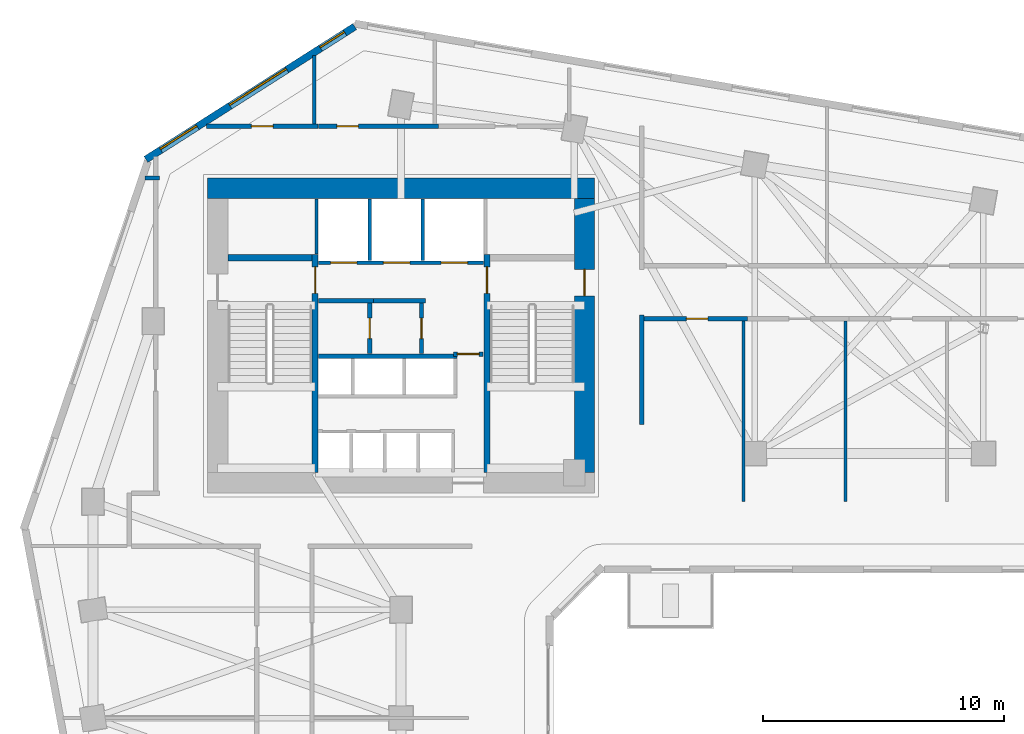
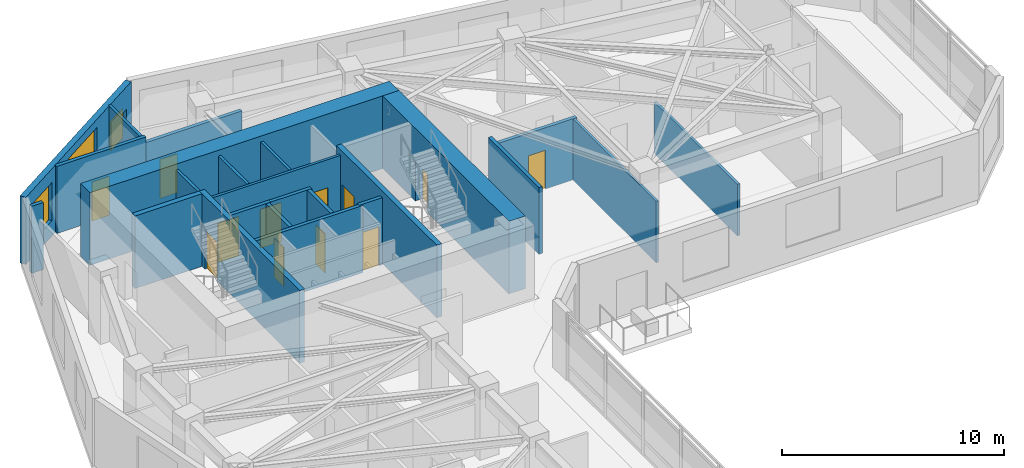
# One storey, part 6 of 10: 24 walls, 12 doors, 3 windows, 15 openings.
"""IFC4 building model written with IfcOpenShell, lengths in metres."""

from ifc_helpers import new_model, si_unit, direction, frame, frame_2d, origin, place, context, subcontext, project, spatial, rectangle, extrude, source, transform, mapped, material, layer, layer_set, type_object, element, fill, save


model = new_model("IFC4")

# Units and contexts
model_context = context("Model", 3, precision=1e-05, world=origin(), true_north=direction((0.0, 1.0)))
body_context = subcontext(model_context, "Body", "Model", "MODEL_VIEW")
ifc_project = project(units=[si_unit("LENGTHUNIT", "METRE"), si_unit("AREAUNIT", "SQUARE_METRE"), si_unit("VOLUMEUNIT", "CUBIC_METRE"), si_unit("PLANEANGLEUNIT", "RADIAN"), si_unit("MASSUNIT", "GRAM", prefix="KILO")], contexts=[model_context])

# Site, building, storey
site_placement = place(None, origin())
site = spatial("IfcSite", under=ifc_project, at=site_placement, CompositionType="ELEMENT")
building_placement = place(site_placement, origin())
building = spatial("IfcBuilding", under=site, at=building_placement, Name="Calvemar Wedge Station Tower", CompositionType="ELEMENT")
storey_placement = place(building_placement, frame((0.0, 0.0, 95.0)))
storey = spatial("IfcBuildingStorey", under=building, at=storey_placement, Name="L23", CompositionType="ELEMENT", Elevation=95.0)

# Wall, opening, door
ifc_material_1 = material(Name="Concrete C50", Category="concrete")
ifc_layer_1 = layer(ifc_material_1, 0.260009765625)
ifc_layer_set_1 = layer_set([ifc_layer_1], Name="Concrete C50")
wall_type_1 = type_object("IfcWallType", Name="SW-CORE-260", PredefinedType="SHEAR", material=ifc_layer_set_1)
wall_1_placement = place(storey_placement, frame((20.22998046875, 34.199951171875, 0.0), z_axis=(0.0, 0.0, 1.0), x_axis=(0.0, 1.0, 0.0)))
wall_1 = element("IfcWall", 1, at=wall_1_placement, inside=storey, type_object=wall_type_1, Name="Storey L23 Core Shear Wall SPINE-W", PredefinedType="SHEAR", context=body_context, shape_type="SweptSolid", body=[
    extrude(rectangle(XDim=9.06005859375, YDim=0.260009765625, at=frame_2d((4.530029296875, 0.0))), origin(), (0.0, 0.0, 1.0), 4.0),
])
shared_shape_1 = source(origin(), body_context, "Body", "SweptSolid", [
    extrude(rectangle(XDim=1.10009765625, YDim=2.14990234375, at=frame_2d((0.550048828125, 1.074951171875))), frame((0.0, 0.14013671875, 0.0), z_axis=(0.0, -1.0, 0.0), x_axis=(1.0, 0.0, 0.0)), (0.0, 0.0, 1.0), 0.280029296875),
])
opening_1_placement = place(wall_1_placement, frame((7.449951171875, 0.0, 0.0)))
opening_1 = element("IfcOpeningElement", 2, at=opening_1_placement, cuts=wall_1, Name="Opening FD-90", PredefinedType="OPENING", context=body_context, shape_type="MappedRepresentation", body=[
    mapped(shared_shape_1, transform((0.0, 0.0, 0.0), scale=1.0)),
])
ifc_material_2 = material(Name="Galvanized fire-rated steel door leaf P-90", Category="steel")
door_type_1 = type_object("IfcDoorType", Name="DR-FD90-1100", OperationType="NOTDEFINED", PredefinedType="DOOR", material=ifc_material_2)
shared_shape_2 = source(origin(), body_context, "Body", "SweptSolid", [
    extrude(rectangle(XDim=1.10009765625, YDim=2.14990234375, at=frame_2d((0.550048828125, 1.074951171875))), frame((0.0, 0.02490234375, 0.0), z_axis=(0.0, -1.0, 0.0), x_axis=(1.0, 0.0, 0.0)), (0.0, 0.0, 1.0), 0.050048828125),
])
door_1_placement = place(opening_1_placement, origin())
door_1 = element("IfcDoor", 3, at=door_1_placement, inside=storey, type_object=door_type_1, Name="L23 FF Lobby to Stair ST-C1 Door", OperationType="SINGLE_SWING_LEFT", OverallHeight=2.14990234375, OverallWidth=1.10009765625, PredefinedType="DOOR", context=body_context, shape_type="MappedRepresentation", body=[
    mapped(shared_shape_2, transform((0.0, 0.0, 0.0), scale=1.0)),
])
fill(opening_1, door_1)

wall_2_placement = place(storey_placement, frame((27.3701171875, 34.199951171875, 0.0), z_axis=(0.0, 0.0, 1.0), x_axis=(0.0, 1.0, 0.0)))
wall_2 = element("IfcWall", 4, at=wall_2_placement, inside=storey, type_object=wall_type_1, Name="Storey L23 Core Shear Wall SPINE-E", PredefinedType="SHEAR", context=body_context, shape_type="SweptSolid", body=[
    extrude(rectangle(XDim=9.06005859375, YDim=0.260009765625, at=frame_2d((4.530029296875, 0.0))), origin(), (0.0, 0.0, 1.0), 4.0),
])
opening_2_placement = place(wall_2_placement, frame((7.449951171875, 0.0, 0.0)))
opening_2 = element("IfcOpeningElement", 5, at=opening_2_placement, cuts=wall_2, Name="Opening FD-90", PredefinedType="OPENING", context=body_context, shape_type="MappedRepresentation", body=[
    mapped(shared_shape_1, transform((0.0, 0.0, 0.0), scale=1.0)),
])
door_2_placement = place(opening_2_placement, origin())
door_2 = element("IfcDoor", 6, at=door_2_placement, inside=storey, type_object=door_type_1, Name="L23 FF Lobby to Stair ST-C2 Door", OperationType="SINGLE_SWING_RIGHT", OverallHeight=2.14990234375, OverallWidth=1.10009765625, PredefinedType="DOOR", context=body_context, shape_type="MappedRepresentation", body=[
    mapped(shared_shape_2, transform((0.0, 0.0, 0.0), scale=1.0)),
])
fill(opening_2, door_2)

# Walls
wall_3_placement = place(storey_placement, frame((16.60009765625, 43.1298828125, 0.0), z_axis=(0.0, 0.0, 1.0), x_axis=(1.0, 0.0, 0.0)))
element("IfcWall", 7, at=wall_3_placement, inside=storey, type_object=wall_type_1, Name="Storey L23 Core Shear Wall STC1-N", PredefinedType="SHEAR", context=body_context, shape_type="SweptSolid", body=[
    extrude(rectangle(XDim=3.5, YDim=0.260009765625, at=frame_2d((1.75, 0.0))), origin(), (0.0, 0.0, 1.0), 4.0),
])
ifc_material_3 = material(Name="Concrete C80", Category="concrete")
ifc_layer_2 = layer(ifc_material_3, 0.85009765625)
ifc_layer_set_2 = layer_set([ifc_layer_2], Name="Concrete C80")
wall_type_2 = type_object("IfcWallType", Name="SW-CORE-850", PredefinedType="SHEAR", material=ifc_layer_set_2)
wall_4_placement = place(storey_placement, frame((15.75, 46.02490234375, 0.0), z_axis=(0.0, 0.0, 1.0), x_axis=(1.0, 0.0, 0.0)))
element("IfcWall", 8, at=wall_4_placement, inside=storey, type_object=wall_type_2, Name="Storey L23 Core Shear Wall N", PredefinedType="SHEAR", context=body_context, shape_type="SweptSolid", body=[
    extrude(rectangle(XDim=16.10009765625, YDim=0.85009765625, at=frame_2d((8.050048828125, 0.0))), origin(), (0.0, 0.0, 1.0), 4.0),
])

# Wall, opening, door
wall_5_placement = place(storey_placement, frame((31.425048828125, 34.199951171875, 0.0), z_axis=(0.0, 0.0, 1.0), x_axis=(0.0, 1.0, 0.0)))
wall_5 = element("IfcWall", 9, at=wall_5_placement, inside=storey, type_object=wall_type_2, Name="Storey L23 Core Shear Wall E", PredefinedType="SHEAR", context=body_context, shape_type="SweptSolid", body=[
    extrude(rectangle(XDim=11.400146484375, YDim=0.85009765625, at=frame_2d((5.7001953125, 0.0))), origin(), (0.0, 0.0, 1.0), 4.0),
])
shared_shape_3 = source(origin(), body_context, "Body", "SweptSolid", [
    extrude(rectangle(XDim=1.10009765625, YDim=2.14990234375, at=frame_2d((0.550048828125, 1.074951171875))), frame((0.0, 0.43505859375, 0.0), z_axis=(0.0, -1.0, 0.0), x_axis=(1.0, 0.0, 0.0)), (0.0, 0.0, 1.0), 0.8701171875),
])
opening_3_placement = place(wall_5_placement, frame((7.35009765625, 0.0, 0.0)))
opening_3 = element("IfcOpeningElement", 10, at=opening_3_placement, cuts=wall_5, Name="Opening FD-90", PredefinedType="OPENING", context=body_context, shape_type="MappedRepresentation", body=[
    mapped(shared_shape_3, transform((0.0, 0.0, 0.0), scale=1.0)),
])
door_3_placement = place(opening_3_placement, origin())
door_3 = element("IfcDoor", 11, at=door_3_placement, inside=storey, type_object=door_type_1, Name="L23 East Corridor to Exit Stair ST-C2 Door", OperationType="SINGLE_SWING_RIGHT", OverallHeight=2.14990234375, OverallWidth=1.10009765625, PredefinedType="DOOR", context=body_context, shape_type="MappedRepresentation", body=[
    mapped(shared_shape_2, transform((0.0, 0.0, 0.0), scale=1.0)),
])
fill(opening_3, door_3)

# Walls
ifc_material_4 = material(Name="Double-stud fire-rated corridor partition")
ifc_layer_3 = layer(ifc_material_4, 0.179931640625)
ifc_layer_set_3 = layer_set([ifc_layer_3], Name="Double-stud fire-rated corridor partition")
wall_type_3 = type_object("IfcWallType", Name="W-CORR-180", PredefinedType="PARTITIONING", material=ifc_layer_set_3)
wall_6_placement = place(storey_placement, frame((22.659912109375, 41.35009765625, 0.0), z_axis=(0.0, 0.0, 1.0), x_axis=(-1.0, 0.0, 0.0)))
element("IfcWall", 12, at=wall_6_placement, inside=storey, type_object=wall_type_3, Name="Storey L23 Interior Partition WL-L23-001", PredefinedType="PARTITIONING", context=body_context, shape_type="SweptSolid", body=[
    extrude(rectangle(XDim=2.280029296875, YDim=0.179931640625, at=frame_2d((1.14013671875, 0.0))), origin(), (0.0, 0.0, 1.0), 3.699951171875),
])
wall_7_placement = place(storey_placement, frame((24.81005859375, 41.35009765625, 0.0), z_axis=(0.0, 0.0, 1.0), x_axis=(-1.0, 0.0, 0.0)))
element("IfcWall", 13, at=wall_7_placement, inside=storey, type_object=wall_type_3, Name="Storey L23 Interior Partition WL-L23-002", PredefinedType="PARTITIONING", context=body_context, shape_type="SweptSolid", body=[
    extrude(rectangle(XDim=2.14794921875, YDim=0.179931640625, at=frame_2d((1.073974609375, 0.0))), origin(), (0.0, 0.0, 1.0), 3.699951171875),
])

# Wall, opening, door
wall_8_placement = place(storey_placement, frame((22.5, 41.256103515625, 0.0), z_axis=(0.0, 0.0, 1.0), x_axis=(0.0, -1.0, 0.0)))
wall_8 = element("IfcWall", 14, at=wall_8_placement, inside=storey, type_object=wall_type_3, Name="Storey L23 Interior Partition WL-L23-003", PredefinedType="PARTITIONING", context=body_context, shape_type="SweptSolid", body=[
    extrude(rectangle(XDim=2.106201171875, YDim=0.179931640625, at=frame_2d((1.05322265625, 0.0))), origin(), (0.0, 0.0, 1.0), 3.699951171875),
])
shared_shape_4 = source(origin(), body_context, "Body", "SweptSolid", [
    extrude(rectangle(XDim=0.85009765625, YDim=2.14990234375, at=frame_2d((0.425048828125, 1.074951171875))), frame((0.0, 0.10009765625, 0.0), z_axis=(0.0, -1.0, 0.0), x_axis=(1.0, 0.0, 0.0)), (0.0, 0.0, 1.0), 0.199951171875),
])
opening_4_placement = place(wall_8_placement, frame((0.6279296875, 0.0, 0.0)))
opening_4 = element("IfcOpeningElement", 15, at=opening_4_placement, cuts=wall_8, Name="Opening FD-60S", PredefinedType="OPENING", context=body_context, shape_type="MappedRepresentation", body=[
    mapped(shared_shape_4, transform((0.0, 0.0, 0.0), scale=1.0)),
])
ifc_material_5 = material(Name="Fire-rated steel and hardwood service door EI 60", Category="steel")
door_type_2 = type_object("IfcDoorType", Name="DR-CORE-FD60-850", OperationType="NOTDEFINED", PredefinedType="DOOR", material=ifc_material_5)
shared_shape_5 = source(origin(), body_context, "Body", "SweptSolid", [
    extrude(rectangle(XDim=0.85009765625, YDim=2.14990234375, at=frame_2d((0.425048828125, 1.074951171875))), frame((0.0, 0.02490234375, 0.0), z_axis=(0.0, -1.0, 0.0), x_axis=(1.0, 0.0, 0.0)), (0.0, 0.0, 1.0), 0.050048828125),
])
door_4_placement = place(opening_4_placement, origin())
door_4 = element("IfcDoor", 16, at=door_4_placement, inside=storey, type_object=door_type_2, Name="L23 IT and Telecoms Room Door", OperationType="SINGLE_SWING_LEFT", OverallHeight=2.14990234375, OverallWidth=0.85009765625, PredefinedType="DOOR", context=body_context, shape_type="MappedRepresentation", body=[
    mapped(shared_shape_5, transform((0.0, 0.0, 0.0), scale=1.0)),
])
fill(opening_4, door_4)

wall_9_placement = place(storey_placement, frame((24.64990234375, 41.256103515625, 0.0), z_axis=(0.0, 0.0, 1.0), x_axis=(0.0, -1.0, 0.0)))
wall_9 = element("IfcWall", 17, at=wall_9_placement, inside=storey, type_object=wall_type_3, Name="Storey L23 Interior Partition WL-L23-004", PredefinedType="PARTITIONING", context=body_context, shape_type="SweptSolid", body=[
    extrude(rectangle(XDim=2.106201171875, YDim=0.179931640625, at=frame_2d((1.05322265625, 0.0))), origin(), (0.0, 0.0, 1.0), 3.699951171875),
])
opening_5_placement = place(wall_9_placement, frame((0.6279296875, 0.0, 0.0)))
opening_5 = element("IfcOpeningElement", 18, at=opening_5_placement, cuts=wall_9, Name="Opening FD-60S", PredefinedType="OPENING", context=body_context, shape_type="MappedRepresentation", body=[
    mapped(shared_shape_4, transform((0.0, 0.0, 0.0), scale=1.0)),
])
door_5_placement = place(opening_5_placement, origin())
door_5 = element("IfcDoor", 19, at=door_5_placement, inside=storey, type_object=door_type_2, Name="L23 Core Equipment Store Door", OperationType="SINGLE_SWING_RIGHT", OverallHeight=2.14990234375, OverallWidth=0.85009765625, PredefinedType="DOOR", context=body_context, shape_type="MappedRepresentation", body=[
    mapped(shared_shape_5, transform((0.0, 0.0, 0.0), scale=1.0)),
])
fill(opening_5, door_5)

wall_10_placement = place(storey_placement, frame((27.199951171875, 39.1298828125, 0.0), z_axis=(0.0, 0.0, 1.0), x_axis=(-1.0, 0.0, 0.0)))
wall_10 = element("IfcWall", 20, at=wall_10_placement, inside=storey, type_object=wall_type_3, Name="Storey L23 Interior Partition WL-L23-005", PredefinedType="PARTITIONING", context=body_context, shape_type="SweptSolid", body=[
    extrude(rectangle(XDim=1.2099609375, YDim=0.179931640625, at=frame_2d((0.60498046875, 0.0))), origin(), (0.0, 0.0, 1.0), 3.699951171875),
])
shared_shape_6 = source(origin(), body_context, "Body", "SweptSolid", [
    extrude(rectangle(XDim=0.89990234375, YDim=2.14990234375, at=frame_2d((0.449951171875, 1.074951171875))), frame((0.0, 0.10009765625, 0.0), z_axis=(0.0, -1.0, 0.0), x_axis=(1.0, 0.0, 0.0)), (0.0, 0.0, 1.0), 0.199951171875),
])
opening_6_placement = place(wall_10_placement, frame((0.155029296875, 0.0, 0.0)))
opening_6 = element("IfcOpeningElement", 21, at=opening_6_placement, cuts=wall_10, Name="Opening FD-60", PredefinedType="OPENING", context=body_context, shape_type="MappedRepresentation", body=[
    mapped(shared_shape_6, transform((0.0, 0.0, 0.0), scale=1.0)),
])
ifc_material_6 = material(Name="Fire-rated acoustic timber-core entrance door EI 60", Category="wood")
door_type_3 = type_object("IfcDoorType", Name="DR-FD60-900", OperationType="NOTDEFINED", PredefinedType="DOOR", material=ifc_material_6)
shared_shape_7 = source(origin(), body_context, "Body", "SweptSolid", [
    extrude(rectangle(XDim=0.89990234375, YDim=2.14990234375, at=frame_2d((0.449951171875, 1.074951171875))), frame((0.0, 0.02490234375, 0.0), z_axis=(0.0, -1.0, 0.0), x_axis=(1.0, 0.0, 0.0)), (0.0, 0.0, 1.0), 0.050048828125),
])
door_6_placement = place(opening_6_placement, origin())
door_6 = element("IfcDoor", 22, at=door_6_placement, inside=storey, type_object=door_type_3, Name="L23 Core Service Lobby Door", OperationType="SINGLE_SWING_LEFT", OverallHeight=2.14990234375, OverallWidth=0.89990234375, PredefinedType="DOOR", context=body_context, shape_type="MappedRepresentation", body=[
    mapped(shared_shape_7, transform((0.0, 0.0, 0.0), scale=1.0)),
])
fill(opening_6, door_6)

# Wall
wall_11_placement = place(storey_placement, frame((13.760009765625, 46.449951171875, 0.0), z_axis=(0.0, 0.0, 1.0), x_axis=(-1.0, 0.0, 0.0)))
element("IfcWall", 23, at=wall_11_placement, inside=storey, type_object=wall_type_3, Name="Storey L23 Interior Partition WL-L23-011", PredefinedType="PARTITIONING", context=body_context, shape_type="SweptSolid", body=[
    extrude(rectangle(XDim=0.60107421875, YDim=0.179931640625, at=frame_2d((0.300537109375, 0.0))), origin(), (0.0, 0.0, 1.0), 3.699951171875),
])

# Wall, opening, door
wall_12_placement = place(storey_placement, frame((15.709716796875, 48.60009765625, 0.0), z_axis=(0.0, 0.0, 1.0), x_axis=(1.0, 0.0, 0.0)))
wall_12 = element("IfcWall", 24, at=wall_12_placement, inside=storey, type_object=wall_type_3, Name="Storey L23 Interior Partition WL-L23-012", PredefinedType="PARTITIONING", context=body_context, shape_type="SweptSolid", body=[
    extrude(rectangle(XDim=4.650390625, YDim=0.179931640625, at=frame_2d((2.3251953125, 0.0))), origin(), (0.0, 0.0, 1.0), 3.699951171875),
])
opening_7_placement = place(wall_12_placement, frame((1.875, 0.0, 0.0)))
opening_7 = element("IfcOpeningElement", 25, at=opening_7_placement, cuts=wall_12, Name="Opening D-01", PredefinedType="OPENING", context=body_context, shape_type="MappedRepresentation", body=[
    mapped(shared_shape_6, transform((0.0, 0.0, 0.0), scale=1.0)),
])
ifc_material_7 = material(Name="Architectural hardwood acoustic swing door", Category="wood")
door_type_4 = type_object("IfcDoorType", Name="DR-INT-900", OperationType="NOTDEFINED", PredefinedType="DOOR", material=ifc_material_7)
shared_shape_8 = source(origin(), body_context, "Body", "SweptSolid", [
    extrude(rectangle(XDim=0.89990234375, YDim=2.14990234375, at=frame_2d((0.449951171875, 1.074951171875))), frame((0.0, 0.02490234375, 0.0), z_axis=(0.0, -1.0, 0.0), x_axis=(1.0, 0.0, 0.0)), (0.0, 0.0, 1.0), 0.050048828125),
])
door_7_placement = place(opening_7_placement, origin())
door_7 = element("IfcDoor", 26, at=door_7_placement, inside=storey, type_object=door_type_4, Name="L23 Male Toilet Door", OperationType="SINGLE_SWING_LEFT", OverallHeight=2.14990234375, OverallWidth=0.89990234375, PredefinedType="DOOR", context=body_context, shape_type="MappedRepresentation", body=[
    mapped(shared_shape_8, transform((0.0, 0.0, 0.0), scale=1.0)),
])
fill(opening_7, door_7)

wall_13_placement = place(storey_placement, frame((20.362060546875, 48.60009765625, 0.0), z_axis=(0.0, 0.0, 1.0), x_axis=(1.0, 0.0, 0.0)))
wall_13 = element("IfcWall", 27, at=wall_13_placement, inside=storey, type_object=wall_type_3, Name="Storey L23 Interior Partition WL-L23-013", PredefinedType="PARTITIONING", context=body_context, shape_type="SweptSolid", body=[
    extrude(rectangle(XDim=4.998046875, YDim=0.179931640625, at=frame_2d((2.4990234375, 0.0))), origin(), (0.0, 0.0, 1.0), 3.384033203125),
])
opening_8_placement = place(wall_13_placement, frame((0.76806640625, 0.0, 0.0)))
opening_8 = element("IfcOpeningElement", 28, at=opening_8_placement, cuts=wall_13, Name="Opening D-01", PredefinedType="OPENING", context=body_context, shape_type="MappedRepresentation", body=[
    mapped(shared_shape_6, transform((0.0, 0.0, 0.0), scale=1.0)),
])
door_8_placement = place(opening_8_placement, origin())
door_8 = element("IfcDoor", 29, at=door_8_placement, inside=storey, type_object=door_type_4, Name="L23 Co-Working Studio Door", OperationType="SINGLE_SWING_RIGHT", OverallHeight=2.14990234375, OverallWidth=0.89990234375, PredefinedType="DOOR", context=body_context, shape_type="MappedRepresentation", body=[
    mapped(shared_shape_8, transform((0.0, 0.0, 0.0), scale=1.0)),
])
fill(opening_8, door_8)

# Wall
wall_14_placement = place(storey_placement, frame((33.800048828125, 40.760009765625, 0.0), z_axis=(0.0, 0.0, 1.0), x_axis=(0.0, -1.0, 0.0)))
element("IfcWall", 30, at=wall_14_placement, inside=storey, type_object=wall_type_3, Name="Storey L23 Interior Partition WL-L23-016", PredefinedType="PARTITIONING", context=body_context, shape_type="SweptSolid", body=[
    extrude(rectangle(XDim=4.56005859375, YDim=0.179931640625, at=frame_2d((2.280029296875, 0.0))), origin(), (0.0, 0.0, 1.0), 3.699951171875),
])

# Wall, opening, door
wall_15_placement = place(storey_placement, frame((38.194091796875, 40.60009765625, 0.0), z_axis=(0.0, 0.0, 1.0), x_axis=(-1.0, 0.0, 0.0)))
wall_15 = element("IfcWall", 31, at=wall_15_placement, inside=storey, type_object=wall_type_3, Name="Storey L23 Interior Partition WL-L23-021", PredefinedType="PARTITIONING", context=body_context, shape_type="SweptSolid", body=[
    extrude(rectangle(XDim=4.300048828125, YDim=0.179931640625, at=frame_2d((2.14990234375, 0.0))), origin(), (0.0, 0.0, 1.0), 3.384033203125),
])
opening_9_placement = place(wall_15_placement, frame((1.63818359375, 0.0, 0.0)))
opening_9 = element("IfcOpeningElement", 32, at=opening_9_placement, cuts=wall_15, Name="Opening D-01", PredefinedType="OPENING", context=body_context, shape_type="MappedRepresentation", body=[
    mapped(shared_shape_6, transform((0.0, 0.0, 0.0), scale=1.0)),
])
door_9_placement = place(opening_9_placement, origin())
door_9 = element("IfcDoor", 33, at=door_9_placement, inside=storey, type_object=door_type_4, Name="L23 Co-Working Studio Door", OperationType="SINGLE_SWING_RIGHT", OverallHeight=2.14990234375, OverallWidth=0.89990234375, PredefinedType="DOOR", context=body_context, shape_type="MappedRepresentation", body=[
    mapped(shared_shape_8, transform((0.0, 0.0, 0.0), scale=1.0)),
])
fill(opening_9, door_9)

# Wall, openings, windows
ifc_material_8 = material(Name="Precast concrete C45", Category="concrete")
ifc_layer_4 = layer(ifc_material_8, 0.300048828125)
ifc_layer_set_4 = layer_set([ifc_layer_4], Name="Precast concrete C45")
wall_type_4 = type_object("IfcWallType", Name="W-EXT-GFRC-300", PredefinedType="SOLIDWALL", material=ifc_layer_set_4)
wall_16_placement = place(storey_placement, frame((21.874755859375, 52.742431640625, 0.0), z_axis=(0.0, 0.0, 1.0), x_axis=(-0.843662465249, -0.536873956092, 0.0)))
wall_16 = element("IfcWall", 34, at=wall_16_placement, inside=storey, type_object=wall_type_4, Name="Storey L23 Bronze GFRC Exterior Wall 11", PredefinedType="SOLIDWALL", context=body_context, shape_type="SweptSolid", body=[
    extrude(rectangle(XDim=10.283935546875, YDim=0.300048828125, at=frame_2d((5.14208984375, 0.0))), origin(), (0.0, 0.0, 1.0), 3.699951171875),
])
shared_shape_9 = source(origin(), body_context, "Body", "SweptSolid", [
    extrude(rectangle(XDim=1.199951171875, YDim=1.60009765625, at=frame_2d((0.60009765625, 0.800048828125))), frame((0.0, 0.16015625, 0.0), z_axis=(0.0, -1.0, 0.0), x_axis=(1.0, 0.0, 0.0)), (0.0, 0.0, 1.0), 0.320068359375),
])
opening_10_placement = place(wall_16_placement, frame((0.47900390625, 0.0, 0.85009765625)))
opening_10 = element("IfcOpeningElement", 35, at=opening_10_placement, cuts=wall_16, Name="Opening W5", PredefinedType="OPENING", context=body_context, shape_type="MappedRepresentation", body=[
    mapped(shared_shape_9, transform((0.0, 0.0, 0.0), scale=1.0)),
])
shared_shape_10 = source(origin(), body_context, "Body", "SweptSolid", [
    extrude(rectangle(XDim=2.800048828125, YDim=2.39990234375, at=frame_2d((1.39990234375, 1.199951171875))), frame((0.0, 0.16015625, 0.0), z_axis=(0.0, -1.0, 0.0), x_axis=(1.0, 0.0, 0.0)), (0.0, 0.0, 1.0), 0.320068359375),
])
opening_11_placement = place(wall_16_placement, frame((3.342041015625, 0.0, 0.85009765625)))
opening_11 = element("IfcOpeningElement", 36, at=opening_11_placement, cuts=wall_16, Name="Opening W6", PredefinedType="OPENING", context=body_context, shape_type="MappedRepresentation", body=[
    mapped(shared_shape_10, transform((0.0, 0.0, 0.0), scale=1.0)),
])
shared_shape_11 = source(origin(), body_context, "Body", "SweptSolid", [
    extrude(rectangle(XDim=1.800048828125, YDim=2.10009765625, at=frame_2d((0.89990234375, 1.050048828125))), frame((0.0, 0.16015625, 0.0), z_axis=(0.0, -1.0, 0.0), x_axis=(1.0, 0.0, 0.0)), (0.0, 0.0, 1.0), 0.320068359375),
])
opening_12_placement = place(wall_16_placement, frame((7.7529296875, 0.0, 0.85009765625)))
opening_12 = element("IfcOpeningElement", 37, at=opening_12_placement, cuts=wall_16, Name="Opening W2", PredefinedType="OPENING", context=body_context, shape_type="MappedRepresentation", body=[
    mapped(shared_shape_11, transform((0.0, 0.0, 0.0), scale=1.0)),
])
ifc_material_9 = material(Name="Low-E laminated insulated glass", Category="glass")
window_type_1 = type_object("IfcWindowType", Name="WIN-EXT-2", PartitioningType="SINGLE_PANEL", PredefinedType="WINDOW", material=ifc_material_9)
shared_shape_12 = source(origin(), body_context, "Body", "SweptSolid", [
    extrude(rectangle(XDim=1.800048828125, YDim=2.10009765625, at=frame_2d((0.89990234375, 1.050048828125))), frame((0.0, -0.014892578125, 0.0), z_axis=(0.0, -1.0, 0.0), x_axis=(1.0, 0.0, 0.0)), (0.0, 0.0, 1.0), 0.06005859375),
])
window_1_placement = place(opening_12_placement, origin())
window_1 = element("IfcWindow", 38, at=window_1_placement, inside=storey, type_object=window_type_1, Name="Storey L23 Recessed Window 11.3", OverallHeight=2.10009765625, OverallWidth=1.800048828125, PartitioningType="SINGLE_PANEL", PredefinedType="WINDOW", context=body_context, shape_type="MappedRepresentation", body=[
    mapped(shared_shape_12, transform((0.0, 0.0, 0.0), scale=1.0)),
])
fill(opening_12, window_1)
window_type_2 = type_object("IfcWindowType", Name="WIN-EXT-6", PartitioningType="SINGLE_PANEL", PredefinedType="WINDOW", material=ifc_material_9)
shared_shape_13 = source(origin(), body_context, "Body", "SweptSolid", [
    extrude(rectangle(XDim=2.800048828125, YDim=2.39990234375, at=frame_2d((1.39990234375, 1.199951171875))), frame((0.0, -0.014892578125, 0.0), z_axis=(0.0, -1.0, 0.0), x_axis=(1.0, 0.0, 0.0)), (0.0, 0.0, 1.0), 0.06005859375),
])
window_2_placement = place(opening_11_placement, origin())
window_2 = element("IfcWindow", 39, at=window_2_placement, inside=storey, type_object=window_type_2, Name="Storey L23 Recessed Window 11.2", OverallHeight=2.39990234375, OverallWidth=2.800048828125, PartitioningType="SINGLE_PANEL", PredefinedType="WINDOW", context=body_context, shape_type="MappedRepresentation", body=[
    mapped(shared_shape_13, transform((0.0, 0.0, 0.0), scale=1.0)),
])
fill(opening_11, window_2)
window_type_3 = type_object("IfcWindowType", Name="WIN-EXT-5", PartitioningType="SINGLE_PANEL", PredefinedType="WINDOW", material=ifc_material_9)
shared_shape_14 = source(origin(), body_context, "Body", "SweptSolid", [
    extrude(rectangle(XDim=1.199951171875, YDim=1.60009765625, at=frame_2d((0.60009765625, 0.800048828125))), frame((0.0, -0.014892578125, 0.0), z_axis=(0.0, -1.0, 0.0), x_axis=(1.0, 0.0, 0.0)), (0.0, 0.0, 1.0), 0.06005859375),
])
window_3_placement = place(opening_10_placement, origin())
window_3 = element("IfcWindow", 40, at=window_3_placement, inside=storey, type_object=window_type_3, Name="Storey L23 Recessed Window 11.1", OverallHeight=1.60009765625, OverallWidth=1.199951171875, PartitioningType="SINGLE_PANEL", PredefinedType="WINDOW", context=body_context, shape_type="MappedRepresentation", body=[
    mapped(shared_shape_14, transform((0.0, 0.0, 0.0), scale=1.0)),
])
fill(opening_10, window_3)

# Wall, openings, doors
ifc_material_10 = material(Name="Reinforced concrete blockwork lift shaft wall", Category="masonry")
ifc_layer_5 = layer(ifc_material_10, 0.139892578125)
ifc_layer_set_5 = layer_set([ifc_layer_5], Name="Reinforced concrete blockwork lift shaft wall")
wall_type_5 = type_object("IfcWallType", Name="W-LIFT-160", PredefinedType="SOLIDWALL", material=ifc_layer_set_5)
wall_17_placement = place(storey_placement, frame((20.3701171875, 42.929931640625, 0.0), z_axis=(0.0, 0.0, 1.0), x_axis=(1.0, 0.0, 0.0)))
wall_17 = element("IfcWall", 41, at=wall_17_placement, inside=storey, type_object=wall_type_5, Name="Storey L23 Firefighting and Service Lift Shaft Front Wall", PredefinedType="SOLIDWALL", context=body_context, shape_type="SweptSolid", body=[
    extrude(rectangle(XDim=6.85986328125, YDim=0.139892578125, at=frame_2d((3.429931640625, 0.0))), origin(), (0.0, 0.0, 1.0), 3.699951171875),
])
shared_shape_15 = source(origin(), body_context, "Body", "SweptSolid", [
    extrude(rectangle(XDim=1.10009765625, YDim=2.14990234375, at=frame_2d((0.550048828125, 1.074951171875))), frame((0.0, 0.080078125, 0.0), z_axis=(0.0, -1.0, 0.0), x_axis=(1.0, 0.0, 0.0)), (0.0, 0.0, 1.0), 0.159912109375),
])
opening_13_placement = place(wall_17_placement, frame((0.5, 0.0, 0.0)))
opening_13 = element("IfcOpeningElement", 42, at=opening_13_placement, cuts=wall_17, Name="Opening LD-FF", PredefinedType="OPENING", context=body_context, shape_type="MappedRepresentation", body=[
    mapped(shared_shape_15, transform((0.0, 0.0, 0.0), scale=1.0)),
])
opening_14_placement = place(wall_17_placement, frame((2.699951171875, 0.0, 0.0)))
opening_14 = element("IfcOpeningElement", 43, at=opening_14_placement, cuts=wall_17, Name="Opening LD-FF", PredefinedType="OPENING", context=body_context, shape_type="MappedRepresentation", body=[
    mapped(shared_shape_15, transform((0.0, 0.0, 0.0), scale=1.0)),
])
opening_15_placement = place(wall_17_placement, frame((5.10009765625, 0.0, 0.0)))
opening_15 = element("IfcOpeningElement", 44, at=opening_15_placement, cuts=wall_17, Name="Opening LD-STN", PredefinedType="OPENING", context=body_context, shape_type="MappedRepresentation", body=[
    mapped(shared_shape_15, transform((0.0, 0.0, 0.0), scale=1.0)),
])
ifc_material_11 = material(Name="Stainless steel firefighting lift sliding landing door", Category="steel")
door_type_5 = type_object("IfcDoorType", Name="DR-LD-FF-1100", OperationType="SLIDING_TO_LEFT", PredefinedType="DOOR", material=ifc_material_11)
shared_shape_16 = source(origin(), body_context, "Body", "SweptSolid", [
    extrude(rectangle(XDim=1.10009765625, YDim=2.14990234375, at=frame_2d((0.550048828125, 1.074951171875))), frame((0.0, 0.02490234375, 0.0), z_axis=(0.0, -1.0, 0.0), x_axis=(1.0, 0.0, 0.0)), (0.0, 0.0, 1.0), 0.050048828125),
])
door_10_placement = place(opening_13_placement, origin())
door_10 = element("IfcDoor", 45, at=door_10_placement, inside=storey, type_object=door_type_5, Name="L23 Lift FF-01 Sliding Landing Door", OperationType="SLIDING_TO_LEFT", OverallHeight=2.14990234375, OverallWidth=1.10009765625, PredefinedType="DOOR", context=body_context, shape_type="MappedRepresentation", body=[
    mapped(shared_shape_16, transform((0.0, 0.0, 0.0), scale=1.0)),
])
fill(opening_13, door_10)
door_11_placement = place(opening_14_placement, origin())
door_11 = element("IfcDoor", 46, at=door_11_placement, inside=storey, type_object=door_type_5, Name="L23 Lift FF-02 Sliding Landing Door", OperationType="SLIDING_TO_RIGHT", OverallHeight=2.14990234375, OverallWidth=1.10009765625, PredefinedType="DOOR", context=body_context, shape_type="MappedRepresentation", body=[
    mapped(shared_shape_16, transform((0.0, 0.0, 0.0), scale=1.0)),
])
fill(opening_14, door_11)
ifc_material_12 = material(Name="Stainless steel transit lift sliding landing door", Category="steel")
door_type_6 = type_object("IfcDoorType", Name="DR-LD-PAX-1100", OperationType="SLIDING_TO_LEFT", PredefinedType="DOOR", material=ifc_material_12)
shared_shape_17 = source(origin(), body_context, "Body", "SweptSolid", [
    extrude(rectangle(XDim=1.10009765625, YDim=2.14990234375, at=frame_2d((0.550048828125, 1.074951171875))), frame((0.0, 0.02490234375, 0.0), z_axis=(0.0, -1.0, 0.0), x_axis=(1.0, 0.0, 0.0)), (0.0, 0.0, 1.0), 0.050048828125),
])
door_12_placement = place(opening_15_placement, origin())
door_12 = element("IfcDoor", 47, at=door_12_placement, inside=storey, type_object=door_type_6, Name="L23 Lift SV-01 Sliding Landing Door", OperationType="SLIDING_TO_LEFT", OverallHeight=2.14990234375, OverallWidth=1.10009765625, PredefinedType="DOOR", context=body_context, shape_type="MappedRepresentation", body=[
    mapped(shared_shape_17, transform((0.0, 0.0, 0.0), scale=1.0)),
])
fill(opening_15, door_12)

# Walls
wall_18_placement = place(storey_placement, frame((20.2900390625, 43.280029296875, 0.0), z_axis=(0.0, 0.0, 1.0), x_axis=(0.0, 1.0, 0.0)))
element("IfcWall", 48, at=wall_18_placement, inside=storey, type_object=wall_type_5, Name="Storey L23 Firefighting Lift Shaft Enclosure Wall W", PredefinedType="SOLIDWALL", context=body_context, shape_type="SweptSolid", body=[
    extrude(rectangle(XDim=2.300048828125, YDim=0.139892578125, at=frame_2d((1.14990234375, 0.0))), origin(), (0.0, 0.0, 1.0), 3.699951171875),
])
for number, where, z_axis, x_axis, name in (
    (49, (22.5, 43.02001953125, 0.0), (0.0, 0.0, 1.0), (0.0, 1.0, 0.0), "Storey L23 Firefighting Lift Shaft Enclosure Wall D1"),
    (50, (24.699951171875, 43.02001953125, 0.0), (0.0, 0.0, 1.0), (0.0, 1.0, 0.0), "Storey L23 Firefighting Lift Shaft Enclosure Wall D2"),
):
    element("IfcWall", number, at=place(storey_placement, frame(where, z_axis=z_axis, x_axis=x_axis)), inside=storey, type_object=wall_type_5, Name=name, PredefinedType="SOLIDWALL", context=body_context, shape_type="SweptSolid", body=[
        extrude(rectangle(XDim=2.56005859375, YDim=0.139892578125, at=frame_2d((1.280029296875, 0.0))), origin(), (0.0, 0.0, 1.0), 3.699951171875),
    ])
ifc_material_13 = material(Name="Insulated acoustic gypsum stud partition")
ifc_layer_6 = layer(ifc_material_13, 0.125)
ifc_layer_set_6 = layer_set([ifc_layer_6], Name="Insulated acoustic gypsum stud partition")
wall_type_6 = type_object("IfcWallType", Name="W-PART-125", PredefinedType="PARTITIONING", material=ifc_layer_set_6)
wall_19_placement = place(storey_placement, frame((38.033935546875, 40.506103515625, 0.0), z_axis=(0.0, 0.0, 1.0), x_axis=(0.0, -1.0, 0.0)))
element("IfcWall", 51, at=wall_19_placement, inside=storey, type_object=wall_type_6, Name="Storey L23 Interior Partition WL-L23-028", PredefinedType="PARTITIONING", context=body_context, shape_type="SweptSolid", body=[
    extrude(rectangle(XDim=7.506103515625, YDim=0.125, at=frame_2d((3.7529296875, 0.0))), origin(), (0.0, 0.0, 1.0), 3.384033203125),
])
wall_20_placement = place(storey_placement, frame((42.26708984375, 40.506103515625, 0.0), z_axis=(0.0, 0.0, 1.0), x_axis=(0.0, -1.0, 0.0)))
element("IfcWall", 52, at=wall_20_placement, inside=storey, type_object=wall_type_6, Name="Storey L23 Interior Partition WL-L23-029", PredefinedType="PARTITIONING", context=body_context, shape_type="SweptSolid", body=[
    extrude(rectangle(XDim=7.506103515625, YDim=0.125, at=frame_2d((3.7529296875, 0.0))), origin(), (0.0, 0.0, 1.0), 2.842041015625),
])
ifc_material_14 = material(Name="Concrete blockwork and fireboard shaft wall", Category="masonry")
ifc_layer_7 = layer(ifc_material_14, 0.199951171875)
ifc_layer_set_7 = layer_set([ifc_layer_7], Name="Concrete blockwork and fireboard shaft wall")
wall_type_7 = type_object("IfcWallType", Name="W-SHAFT-200", PredefinedType="SOLIDWALL", material=ifc_layer_set_7)
wall_21_placement = place(storey_placement, frame((20.3798828125, 39.0400390625, 0.0), z_axis=(0.0, 0.0, 1.0), x_axis=(1.0, 0.0, 0.0)))
element("IfcWall", 53, at=wall_21_placement, inside=storey, type_object=wall_type_7, Name="Storey L23 Upper Passenger Lift Bank Rear Shaft Wall", PredefinedType="SOLIDWALL", context=body_context, shape_type="SweptSolid", body=[
    extrude(rectangle(XDim=5.75, YDim=0.179931640625, at=frame_2d((2.875, 0.0))), origin(), (0.0, 0.0, 1.0), 3.699951171875),
])
ifc_material_15 = material(Name="Moisture-resistant acoustic bathroom partition")
ifc_layer_8 = layer(ifc_material_15, 0.14990234375)
ifc_layer_set_8 = layer_set([ifc_layer_8], Name="Moisture-resistant acoustic bathroom partition")
wall_type_8 = type_object("IfcWallType", Name="W-WET-150", PredefinedType="PARTITIONING", material=ifc_layer_set_8)
wall_22_placement = place(storey_placement, frame((20.199951171875, 51.540283203125, 0.0), z_axis=(0.0, 0.0, 1.0), x_axis=(0.0, -1.0, 0.0)))
element("IfcWall", 54, at=wall_22_placement, inside=storey, type_object=wall_type_8, Name="Storey L23 Interior Partition WL-L23-019", PredefinedType="PARTITIONING", context=body_context, shape_type="SweptSolid", body=[
    extrude(rectangle(XDim=2.84619140625, YDim=0.14990234375, at=frame_2d((1.423095703125, 0.0))), origin(), (0.0, 0.0, 1.0), 3.699951171875),
])

save(model, "model.ifc")
